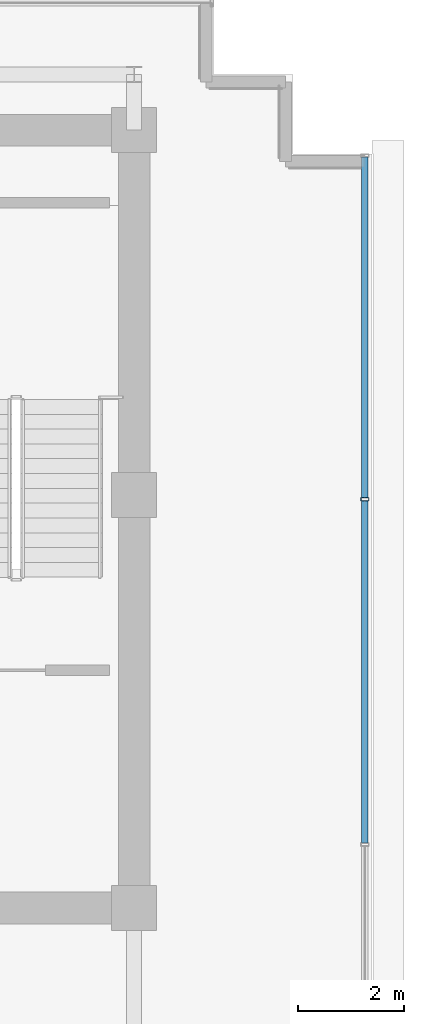
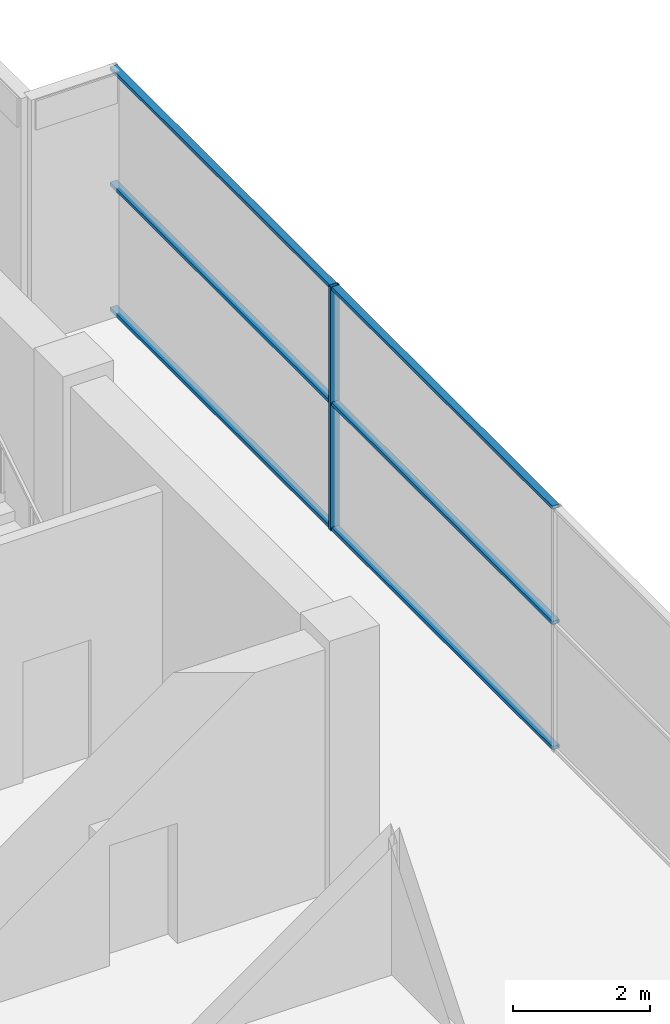
# One storey, part 17 of 26: 7 members, 1 element without a shape of its own.
"""IFC4 building model written with IfcOpenShell, lengths in metres."""

from ifc_helpers import new_model, si_unit, direction, frame, origin, origin_2d, place, context, subcontext, project, spatial, hollow_rectangle, extrude, source, transform, mapped, material, layer, layer_set, material_profile, profile_set, type_object, element, aggregate, save


model = new_model("IFC4")

# Units and contexts
model_context = context("Model", 3, precision=1e-05, world=origin(), true_north=direction((0.0, 1.0)))
body_context = subcontext(model_context, "Body", "Model", "MODEL_VIEW")
ifc_project = project(units=[si_unit("LENGTHUNIT", "METRE"), si_unit("AREAUNIT", "SQUARE_METRE"), si_unit("VOLUMEUNIT", "CUBIC_METRE"), si_unit("PLANEANGLEUNIT", "RADIAN"), si_unit("MASSUNIT", "GRAM", prefix="KILO")], contexts=[model_context])

# Site, building, storey
site_placement = place(None, origin())
site = spatial("IfcSite", under=ifc_project, at=site_placement, CompositionType="ELEMENT")
building_placement = place(site_placement, origin())
building = spatial("IfcBuilding", under=site, at=building_placement, Name="Zarnakvel Exchange Tower", CompositionType="ELEMENT")
storey_placement = place(building_placement, frame((0.0, 0.0, 285.39990234375)))
storey = spatial("IfcBuildingStorey", under=building, at=storey_placement, Name="Crown L80", CompositionType="ELEMENT", Elevation=285.39990234375)

# Curtain wall, members
ifc_material = material(Name="Architectural Bronze Anodised Aluminium", Category="aluminium")
ifc_layer = layer(ifc_material, 0.14990234375)
ifc_layer_set = layer_set([ifc_layer], Name="Architectural Bronze Anodised Aluminium")
curtain_wall_type = type_object("IfcCurtainWallType", Name="CW-07", PredefinedType="NOTDEFINED", material=ifc_layer_set)
curtain_wall_placement = place(storey_placement, origin())
curtain_wall = element("IfcCurtainWall", 1, at=curtain_wall_placement, inside=storey, type_object=curtain_wall_type, Name="Crown L80 Curtain Wall CW-Crown L80-E (CW-07)", PredefinedType="NOTDEFINED")
ifc_material_profile_1 = material_profile(ifc_material, hollow_rectangle(XDim=0.14990234375, YDim=0.06005859375, WallThickness=0.00390625, at=origin_2d()))
ifc_profile_set_1 = profile_set([ifc_material_profile_1], Name="Architectural Bronze Anodised Aluminium")
member_type_1 = type_object("IfcMemberType", Name="CWM-07", PredefinedType="MULLION", material=ifc_profile_set_1)
shared_shape_1 = source(origin(), body_context, "Body", "SweptSolid", [
    extrude(hollow_rectangle(XDim=0.14990234375, YDim=0.06005859375, WallThickness=0.00390625, at=origin_2d()), origin(), (0.0, 0.0, 1.0), 4.360107421875),
])
member_1_placement = place(storey_placement, frame((18.760009765625, 6.52490234375, 0.0), z_axis=(0.0, 0.0, 1.0), x_axis=(-1.0, 0.0, 0.0)))
member_1 = element("IfcMember", 2, at=member_1_placement, type_object=member_type_1, Name="CW-07 mullion 4", PredefinedType="MULLION", context=body_context, shape_type="MappedRepresentation", body=[
    mapped(shared_shape_1, transform((0.0, 0.0, 0.0), x_axis=(1.0, 0.0, 0.0), y_axis=(0.0, 1.0, 0.0), z_axis=(0.0, 0.0, 1.0), scale=1.0)),
])
ifc_material_profile_2 = material_profile(ifc_material, hollow_rectangle(XDim=0.1201171875, YDim=0.06005859375, WallThickness=0.00390625, at=origin_2d()))
ifc_profile_set_2 = profile_set([ifc_material_profile_2], Name="Architectural Bronze Anodised Aluminium")
member_type_2 = type_object("IfcMemberType", Name="CWT-07", PredefinedType="USERDEFINED", material=ifc_profile_set_2)
shared_shape_2 = source(origin(), body_context, "Body", "SweptSolid", [
    extrude(hollow_rectangle(XDim=0.1201171875, YDim=0.06005859375, WallThickness=0.00390625, at=origin_2d()), origin(), (0.0, 0.0, 1.0), 6.43505859375),
])
member_2_placement = place(storey_placement, frame((18.760009765625, 6.554931640625, 0.030029296875), z_axis=(0.0, 1.0, 0.0), x_axis=(-1.0, 0.0, 0.0)))
member_2 = element("IfcMember", 3, at=member_2_placement, type_object=member_type_2, Name="CW-07 transom 4.1", ObjectType="TRANSOM", PredefinedType="USERDEFINED", context=body_context, shape_type="MappedRepresentation", body=[
    mapped(shared_shape_2, transform((0.0, 0.0, 0.0), x_axis=(1.0, 0.0, 0.0), y_axis=(0.0, 1.0, 0.0), z_axis=(0.0, 0.0, 1.0), scale=1.0)),
])
member_3_placement = place(storey_placement, frame((18.760009765625, 6.554931640625, 2.267333984375), z_axis=(0.0, 1.0, 0.0), x_axis=(-1.0, 0.0, 0.0)))
member_3 = element("IfcMember", 4, at=member_3_placement, type_object=member_type_2, Name="CW-07 transom 4.2", ObjectType="TRANSOM", PredefinedType="USERDEFINED", context=body_context, shape_type="MappedRepresentation", body=[
    mapped(shared_shape_2, transform((0.0, 0.0, 0.0), x_axis=(1.0, 0.0, 0.0), y_axis=(0.0, 1.0, 0.0), z_axis=(0.0, 0.0, 1.0), scale=1.0)),
])
member_4_placement = place(storey_placement, frame((18.760009765625, 6.554931640625, 4.330078125), z_axis=(0.0, 1.0, 0.0), x_axis=(-1.0, 0.0, 0.0)))
member_4 = element("IfcMember", 5, at=member_4_placement, type_object=member_type_2, Name="CW-07 transom 4.3", ObjectType="TRANSOM", PredefinedType="USERDEFINED", context=body_context, shape_type="MappedRepresentation", body=[
    mapped(shared_shape_2, transform((0.0, 0.0, 0.0), x_axis=(1.0, 0.0, 0.0), y_axis=(0.0, 1.0, 0.0), z_axis=(0.0, 0.0, 1.0), scale=1.0)),
])
shared_shape_3 = source(origin(), body_context, "Body", "SweptSolid", [
    extrude(hollow_rectangle(XDim=0.1201171875, YDim=0.06005859375, WallThickness=0.00390625, at=origin_2d()), origin(), (0.0, 0.0, 1.0), 6.465087890625),
])
member_5_placement = place(storey_placement, frame((18.760009765625, 0.030029296875, 0.030029296875), z_axis=(0.0, 1.0, 0.0), x_axis=(-1.0, 0.0, 0.0)))
member_5 = element("IfcMember", 6, at=member_5_placement, type_object=member_type_2, Name="CW-07 transom 3.1", ObjectType="TRANSOM", PredefinedType="USERDEFINED", context=body_context, shape_type="MappedRepresentation", body=[
    mapped(shared_shape_3, transform((0.0, 0.0, 0.0), x_axis=(1.0, 0.0, 0.0), y_axis=(0.0, 1.0, 0.0), z_axis=(0.0, 0.0, 1.0), scale=1.0)),
])
member_6_placement = place(storey_placement, frame((18.760009765625, 0.030029296875, 2.267333984375), z_axis=(0.0, 1.0, 0.0), x_axis=(-1.0, 0.0, 0.0)))
member_6 = element("IfcMember", 7, at=member_6_placement, type_object=member_type_2, Name="CW-07 transom 3.2", ObjectType="TRANSOM", PredefinedType="USERDEFINED", context=body_context, shape_type="MappedRepresentation", body=[
    mapped(shared_shape_3, transform((0.0, 0.0, 0.0), x_axis=(1.0, 0.0, 0.0), y_axis=(0.0, 1.0, 0.0), z_axis=(0.0, 0.0, 1.0), scale=1.0)),
])
member_7_placement = place(storey_placement, frame((18.760009765625, 0.030029296875, 4.330078125), z_axis=(0.0, 1.0, 0.0), x_axis=(-1.0, 0.0, 0.0)))
member_7 = element("IfcMember", 8, at=member_7_placement, type_object=member_type_2, Name="CW-07 transom 3.3", ObjectType="TRANSOM", PredefinedType="USERDEFINED", context=body_context, shape_type="MappedRepresentation", body=[
    mapped(shared_shape_3, transform((0.0, 0.0, 0.0), x_axis=(1.0, 0.0, 0.0), y_axis=(0.0, 1.0, 0.0), z_axis=(0.0, 0.0, 1.0), scale=1.0)),
])
aggregate(curtain_wall, [member_1, member_5, member_6, member_7, member_2, member_3, member_4])

save(model, "model.ifc")
